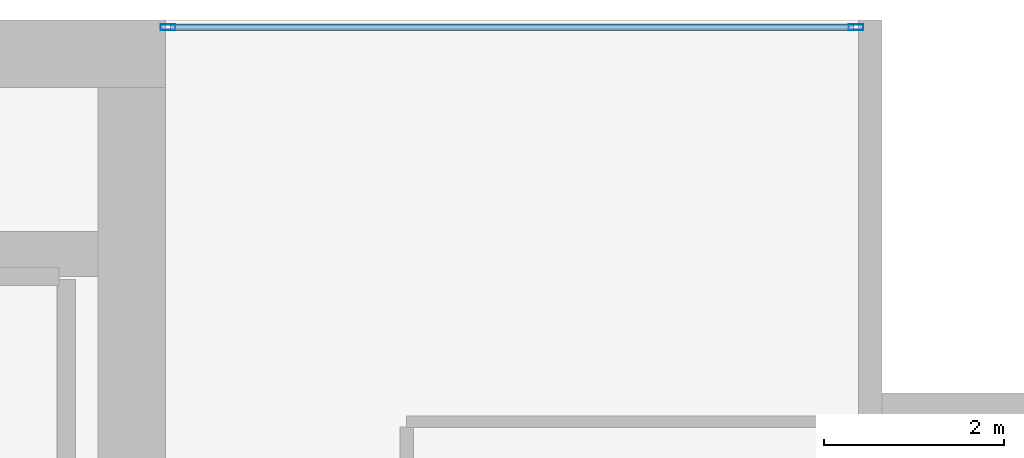
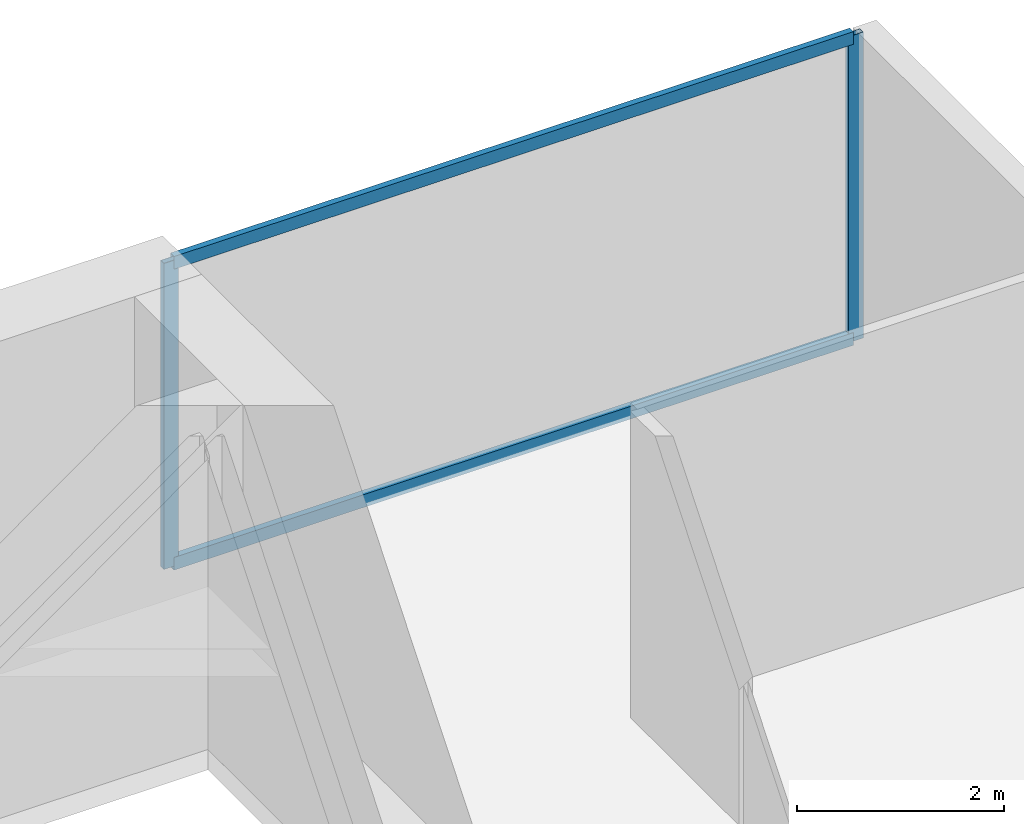
# One storey, part 25 of 34: 4 members, 1 element without a shape of its own.
"""IFC4 building model written with IfcOpenShell, lengths in metres."""

from ifc_helpers import new_model, si_unit, direction, frame, origin, origin_2d, place, context, subcontext, project, spatial, hollow_rectangle, extrude, material, layer, layer_set, material_profile, profile_set, type_object, element, aggregate, save


model = new_model("IFC4")

# Units and contexts
model_context = context("Model", 3, precision=1e-05, world=origin(), true_north=direction((0.0, 1.0)))
body_context = subcontext(model_context, "Body", "Model", "MODEL_VIEW")
ifc_project = project(units=[si_unit("LENGTHUNIT", "METRE"), si_unit("AREAUNIT", "SQUARE_METRE"), si_unit("VOLUMEUNIT", "CUBIC_METRE"), si_unit("PLANEANGLEUNIT", "RADIAN"), si_unit("MASSUNIT", "GRAM", prefix="KILO")], contexts=[model_context])

# Site, building, storey
site_placement = place(None, origin())
site = spatial("IfcSite", under=ifc_project, at=site_placement, CompositionType="ELEMENT")
building_placement = place(site_placement, origin())
building = spatial("IfcBuilding", under=site, at=building_placement, Name="Maruvema Waterfront Hotel and Observation Tower", CompositionType="ELEMENT")
storey_placement = place(building_placement, frame((0.0, 0.0, 189.0)))
storey = spatial("IfcBuildingStorey", under=building, at=storey_placement, Name="L46", CompositionType="ELEMENT", Elevation=189.0)

# Curtain wall, members
ifc_material_1 = material(Name="Anodised bronze aluminium and solar-control low-E IGU", Category="aluminium")
ifc_layer = layer(ifc_material_1, 0.159912109375, Name="Zone 2 Amber Inner Thermal Curtain Wall System CW-03")
ifc_layer_set = layer_set([ifc_layer], Name="Anodised bronze aluminium and solar-control low-E IGU")
curtain_wall_type = type_object("IfcCurtainWallType", Name="Zone 2 Amber Inner Thermal Curtain Wall System CW-03", PredefinedType="USERDEFINED", material=ifc_layer_set)
curtain_wall_placement = place(storey_placement, origin())
curtain_wall = element("IfcCurtainWall", 1, at=curtain_wall_placement, inside=storey, type_object=curtain_wall_type, Name="L46 Curtain Wall CW-L46-NE", ObjectType="UNITISED CURTAIN WALL", PredefinedType="USERDEFINED")
ifc_material_2 = material(Name="Anodised architectural bronze aluminium", Category="aluminium")
ifc_material_profile_1 = material_profile(ifc_material_2, hollow_rectangle(XDim=0.070068359375, YDim=0.14990234375, WallThickness=0.00390625, at=origin_2d()), Name="ALU-T70x150")
ifc_profile_set_1 = profile_set([ifc_material_profile_1], Name="Anodised architectural bronze aluminium")
member_type_1 = type_object("IfcMemberType", Name="Curtain Wall Horizontal Transom ALU-T70x150", PredefinedType="USERDEFINED", material=ifc_profile_set_1)
member_1_placement = place(storey_placement, frame((58.0400390625, 53.919921875, 0.030029296875), z_axis=(-1.0, 0.0, 0.0), x_axis=(0.0, -1.0, 0.0)))
member_1 = element("IfcMember", 2, at=member_1_placement, type_object=member_type_1, Name="CW-03 transom 1.1", ObjectType="TRANSOM", PredefinedType="USERDEFINED", context=body_context, shape_type="SweptSolid", body=[
    extrude(hollow_rectangle(XDim=0.070068359375, YDim=0.14990234375, WallThickness=0.00390625, at=origin_2d()), origin(), (0.0, 0.0, 1.0), 7.580078125),
])
member_2_placement = place(storey_placement, frame((58.0400390625, 53.919921875, 3.580078125), z_axis=(-1.0, 0.0, 0.0), x_axis=(0.0, -1.0, 0.0)))
member_2 = element("IfcMember", 3, at=member_2_placement, type_object=member_type_1, Name="CW-03 transom 1.2", ObjectType="TRANSOM", PredefinedType="USERDEFINED", context=body_context, shape_type="SweptSolid", body=[
    extrude(hollow_rectangle(XDim=0.070068359375, YDim=0.14990234375, WallThickness=0.00390625, at=origin_2d()), origin(), (0.0, 0.0, 1.0), 7.580078125),
])
ifc_material_3 = material(Name="Anodised architectural bronze aluminium", Category="aluminium")
ifc_material_profile_2 = material_profile(ifc_material_3, hollow_rectangle(XDim=0.06494140625, YDim=0.1650390625, WallThickness=0.00390625, at=origin_2d()), Name="ALU-M65x165")
ifc_profile_set_2 = profile_set([ifc_material_profile_2], Name="Anodised architectural bronze aluminium")
member_type_2 = type_object("IfcMemberType", Name="Curtain Wall Primary Mullion ALU-M65x165", PredefinedType="MULLION", material=ifc_profile_set_2)
member_3_placement = place(storey_placement, frame((58.070068359375, 53.919921875, 0.0), z_axis=(0.0, 0.0, 1.0), x_axis=(0.0, -1.0, 0.0)))
member_3 = element("IfcMember", 4, at=member_3_placement, type_object=member_type_2, Name="CW-03 mullion 1", PredefinedType="MULLION", context=body_context, shape_type="SweptSolid", body=[
    extrude(hollow_rectangle(XDim=0.06494140625, YDim=0.1650390625, WallThickness=0.00390625, at=origin_2d()), origin(), (0.0, 0.0, 1.0), 3.610107421875),
])
member_4_placement = place(storey_placement, frame((50.429931640625, 53.919921875, 0.0), z_axis=(0.0, 0.0, 1.0), x_axis=(0.0, -1.0, 0.0)))
member_4 = element("IfcMember", 5, at=member_4_placement, type_object=member_type_2, Name="CW-03 mullion 2", PredefinedType="MULLION", context=body_context, shape_type="SweptSolid", body=[
    extrude(hollow_rectangle(XDim=0.06494140625, YDim=0.1650390625, WallThickness=0.00390625, at=origin_2d()), origin(), (0.0, 0.0, 1.0), 3.610107421875),
])
aggregate(curtain_wall, [member_3, member_4, member_1, member_2])

save(model, "model.ifc")
